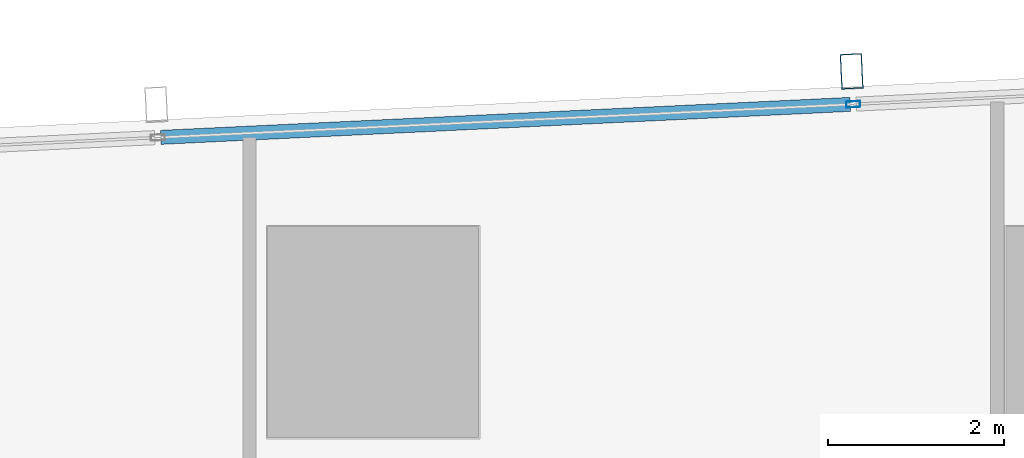
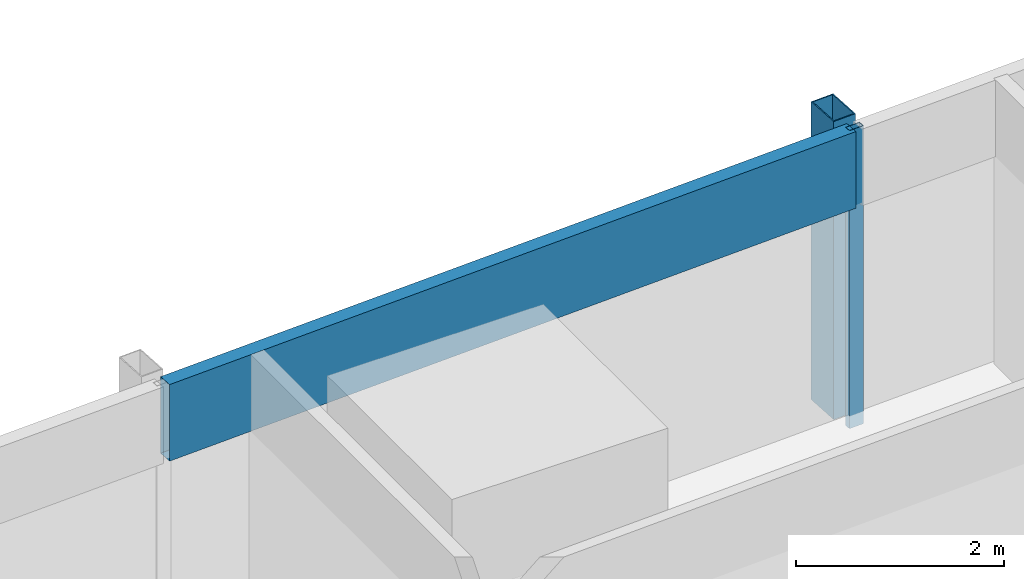
# One storey, part 17 of 37: 3 members, 1 element without a shape of its own.
"""IFC4 building model written with IfcOpenShell, lengths in metres."""

from ifc_helpers import new_model, si_unit, direction, frame, origin, origin_2d, place, context, subcontext, project, spatial, hollow_rectangle, extrude, material, material_profile, profile_set, type_object, element, aggregate, save


model = new_model("IFC4")

# Units and contexts
model_context = context("Model", 3, precision=1e-05, world=origin(), true_north=direction((0.0, 1.0)))
body_context = subcontext(model_context, "Body", "Model", "MODEL_VIEW")
ifc_project = project(units=[si_unit("LENGTHUNIT", "METRE"), si_unit("AREAUNIT", "SQUARE_METRE"), si_unit("VOLUMEUNIT", "CUBIC_METRE"), si_unit("PLANEANGLEUNIT", "RADIAN"), si_unit("MASSUNIT", "GRAM", prefix="KILO")], contexts=[model_context])

# Site, building, storey
site_placement = place(None, origin())
site = spatial("IfcSite", under=ifc_project, at=site_placement, CompositionType="ELEMENT")
building_placement = place(site_placement, origin())
building = spatial("IfcBuilding", under=site, at=building_placement, Name="Rekha Terrace Tower", CompositionType="ELEMENT")
storey_placement = place(building_placement, frame((0.0, 0.0, 228.949951171875)))
storey = spatial("IfcBuildingStorey", under=building, at=storey_placement, Name="L58", CompositionType="ELEMENT", Elevation=228.949951171875)

# Curtain wall, members
ifc_material_1 = material(Name="Aluminium framing", Category="aluminium")
curtain_wall_type = type_object("IfcCurtainWallType", Name="CW3 north unitised glazing", PredefinedType="USERDEFINED", material=ifc_material_1)
curtain_wall_placement = place(storey_placement, origin())
curtain_wall = element("IfcCurtainWall", 1, at=curtain_wall_placement, inside=storey, type_object=curtain_wall_type, Name="CW3 unitised curtain wall", ObjectType="UNITISED CURTAIN WALL", PredefinedType="USERDEFINED")
ifc_material_2 = material(Name="Steel S355 with fluorocarbon finish", Category="steel")
ifc_material_profile_1 = material_profile(ifc_material_2, hollow_rectangle(XDim=0.25, YDim=0.39990234375, WallThickness=0.012451171875, at=origin_2d()), Name="RHS400x250x12.5")
ifc_profile_set_1 = profile_set([ifc_material_profile_1], Name="Steel S355 with fluorocarbon finish")
member_type_1 = type_object("IfcMemberType", Name="BL1 facade blade RHS 400 x 250", PredefinedType="USERDEFINED", material=ifc_profile_set_1)
member_1_placement = place(storey_placement, frame((30.643310546875, 61.767578125, 0.0), z_axis=(0.0, 0.0, 1.0), x_axis=(-0.998858913274, -0.04775846913, 0.0)))
member_1 = element("IfcMember", 2, at=member_1_placement, type_object=member_type_1, Name="Facade blade", ObjectType="FACADE BLADE", PredefinedType="USERDEFINED", context=body_context, shape_type="SweptSolid", body=[
    extrude(hollow_rectangle(XDim=0.25, YDim=0.39990234375, WallThickness=0.012451171875, at=origin_2d()), origin(), (0.0, 0.0, 1.0), 3.5),
])
ifc_material_3 = material(Name="Aluminium mullion section", Category="aluminium")
ifc_material_profile_2 = material_profile(ifc_material_3, hollow_rectangle(XDim=0.070068359375, YDim=0.159912109375, WallThickness=0.00390625, at=origin_2d()), Name="AL RHS 70x160")
ifc_profile_set_2 = profile_set([ifc_material_profile_2], Name="Aluminium mullion section")
member_type_2 = type_object("IfcMemberType", Name="CW3 mullion RHS 70 x 160", PredefinedType="MULLION", material=ifc_profile_set_2)
member_2_placement = place(storey_placement, frame((30.6611328125, 61.39306640625, 0.0), z_axis=(0.0, 0.0, 1.0), x_axis=(0.047758616983, -0.998858906204, 0.0)))
member_2 = element("IfcMember", 3, at=member_2_placement, type_object=member_type_2, Name="CW3 mullion 3", PredefinedType="MULLION", context=body_context, shape_type="SweptSolid", body=[
    extrude(hollow_rectangle(XDim=0.070068359375, YDim=0.159912109375, WallThickness=0.00390625, at=origin_2d()), origin(), (0.0, 0.0, 1.0), 3.5),
])
ifc_material_4 = material(Name="Insulated aluminium spandrel box", Category="aluminium")
ifc_material_profile_3 = material_profile(ifc_material_4, hollow_rectangle(XDim=0.159912109375, YDim=0.89990234375, WallThickness=0.0029296875, at=origin_2d()), Name="AL SPANDREL BOX 160x900")
ifc_profile_set_3 = profile_set([ifc_material_profile_3], Name="Insulated aluminium spandrel box")
member_type_3 = type_object("IfcMemberType", Name="CW3 spandrel transom 160 x 900", PredefinedType="USERDEFINED", material=ifc_profile_set_3)
member_3_placement = place(storey_placement, frame((30.626220703125, 61.391357421875, 3.050048828125), z_axis=(-0.998859323292, -0.047749892907, 0.0), x_axis=(0.047749892907, -0.998859323292, 0.0)))
member_3 = element("IfcMember", 4, at=member_3_placement, type_object=member_type_3, Name="CW3 spandrel transom 3", ObjectType="TRANSOM", PredefinedType="USERDEFINED", context=body_context, shape_type="SweptSolid", body=[
    extrude(hollow_rectangle(XDim=0.159912109375, YDim=0.89990234375, WallThickness=0.0029296875, at=origin_2d()), origin(), (0.0, 0.0, 1.0), 7.848388671875),
])
aggregate(curtain_wall, [member_2, member_3, member_1])

save(model, "model.ifc")
